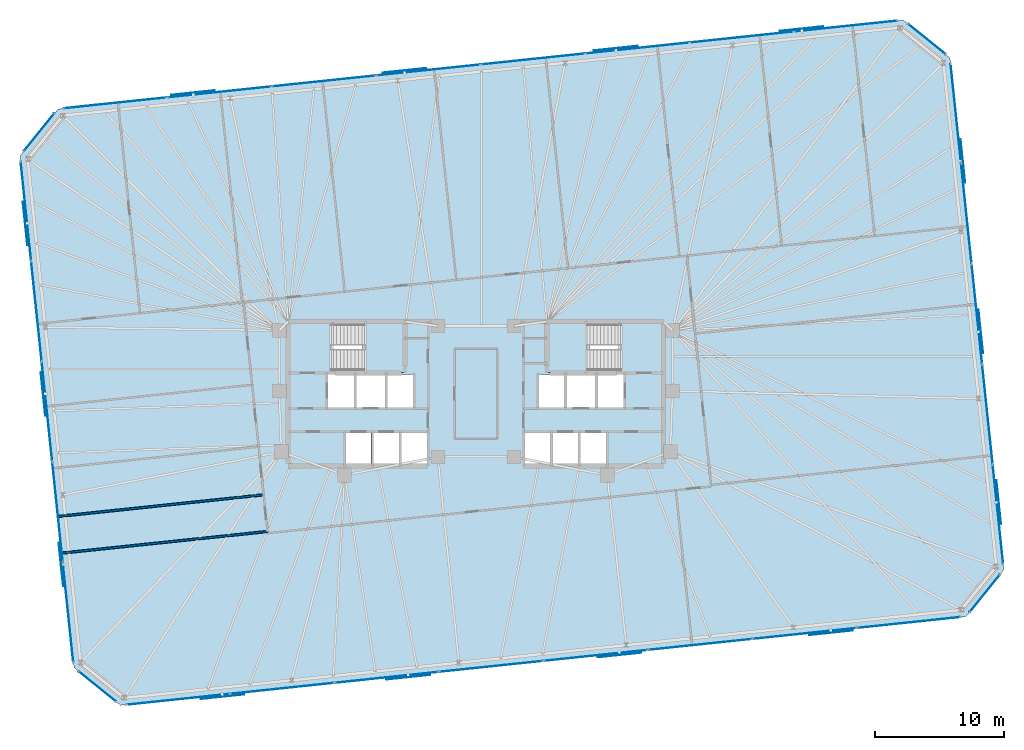
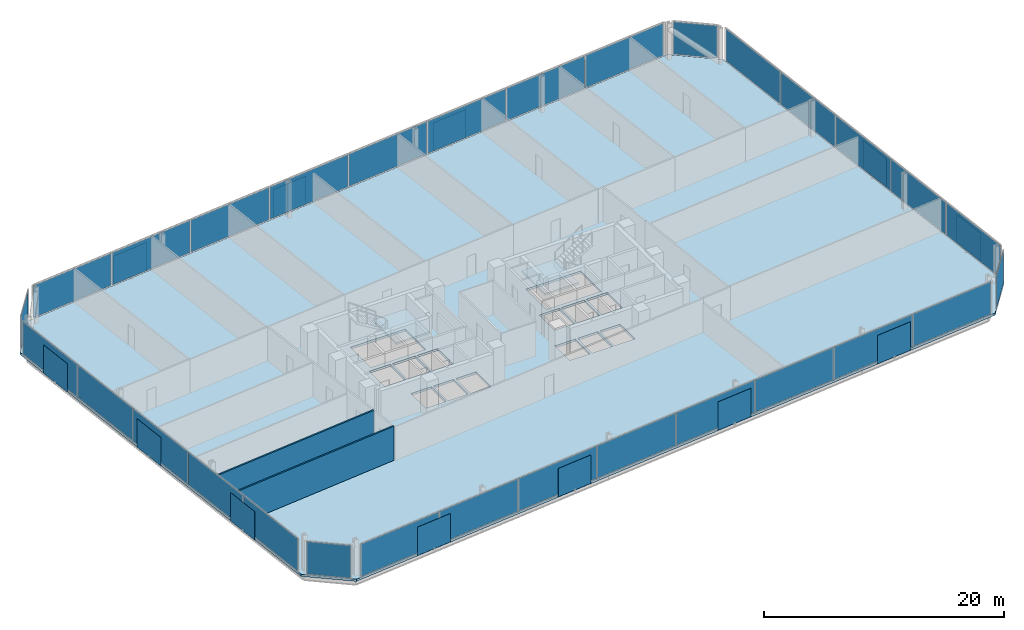
# One storey, part 13 of 18: 44 plates, 3 slabs, 2 walls, 10 elements without a shape of their own.
"""IFC4 building model written with IfcOpenShell, lengths in metres."""

import ifcopenshell
import ifcopenshell.guid

model = None  # the IFC model being written
_history = None  # IfcOwnerHistory: only IFC2X3 demands one
_inside = {}  # id of a spatial element -> (the spatial element, [elements in it])
_under = {}  # id of a project, library or spatial element -> (it, [spatial elements below it])
_declared = {}  # id of a project -> (the project, [libraries it declares])
_typed = {}  # id of a type object -> (the type object, [elements of that type])
_made_of = {}  # id of a material, layer set ... -> (it, [elements and type objects made of it])


def new_model(schema):
    """Start an empty IFC model of exactly this schema.

    Asked for "IFC4X3", IfcOpenShell would pick the latest addendum, in which some entities
    have other attributes; the version numbers below select the first issue.
    IFC2X3 requires an IfcOwnerHistory on every rooted entity: one is made here for all.
    """
    global model, _history
    if schema == "IFC4X3":
        model = ifcopenshell.file(schema_version=(4, 3, 0, 0))
    else:
        model = ifcopenshell.file(schema=schema)
    _inside.clear()
    _under.clear()
    _declared.clear()
    _typed.clear()
    _made_of.clear()
    _history = None
    if model.schema == "IFC2X3":
        org = make("IfcOrganization", Name="unknown")
        user = make(
            "IfcPersonAndOrganization",
            ThePerson=make("IfcPerson", FamilyName="unknown"),
            TheOrganization=org,
        )
        app = make(
            "IfcApplication",
            ApplicationDeveloper=org,
            Version="unknown",
            ApplicationFullName="unknown",
            ApplicationIdentifier="unknown",
        )
        _history = make(
            "IfcOwnerHistory",
            OwningUser=user,
            OwningApplication=app,
            ChangeAction="ADDED",
            CreationDate=0,
        )
    return model


def make(cls, **values):
    """One entity of the class cls with the attributes given. An attribute that is None is left unset."""
    return model.create_entity(
        cls, **{name: value for name, value in values.items() if value is not None}
    )


def rooted(cls, **values):
    """An entity with a GlobalId (a new one), such as an element, a storey or a relation."""
    return make(cls, GlobalId=ifcopenshell.guid.new(), OwnerHistory=_history, **values)


def si_unit(unit_type, name, prefix=None):
    """IfcSIUnit, for example si_unit("LENGTHUNIT", "METRE", prefix="MILLI")."""
    return make("IfcSIUnit", UnitType=unit_type, Prefix=prefix, Name=name)


def assignment(units):
    """IfcUnitAssignment: the units of a project."""
    return None if units is None else make("IfcUnitAssignment", Units=units)


def point(xyz):
    """IfcCartesianPoint."""
    return None if xyz is None else make("IfcCartesianPoint", Coordinates=xyz)


def direction(xyz):
    """IfcDirection."""
    return None if xyz is None else make("IfcDirection", DirectionRatios=xyz)


def frame(location, z_axis=None, x_axis=None):
    """IfcAxis2Placement3D, a coordinate frame: its origin and axes. An axis left out is left unset."""
    return make(
        "IfcAxis2Placement3D",
        Location=point(location),
        Axis=direction(z_axis),
        RefDirection=direction(x_axis),
    )


def frame_2d(location, x_axis=None):
    """IfcAxis2Placement2D, a coordinate frame in the plane: its origin and x axis."""
    return make(
        "IfcAxis2Placement2D", Location=point(location), RefDirection=direction(x_axis)
    )


def origin():
    """The frame at (0, 0, 0) with its axes left unset."""
    return frame((0.0, 0.0, 0.0))


def origin_2d():
    """The frame at (0, 0) in the plane with its x axis left unset."""
    return frame_2d((0.0, 0.0))


def place(relative_to, where):
    """IfcLocalPlacement: puts the frame where relative to a parent placement (None: the world)."""
    return make(
        "IfcLocalPlacement", PlacementRelTo=relative_to, RelativePlacement=where
    )


def context(
    kind, dimensions, precision=None, world=None, true_north=None, identifier=None
):
    """IfcGeometricRepresentationContext, for example the 3D "Model" context."""
    return make(
        "IfcGeometricRepresentationContext",
        ContextIdentifier=identifier,
        ContextType=kind,
        CoordinateSpaceDimension=dimensions,
        Precision=precision,
        WorldCoordinateSystem=world,
        TrueNorth=true_north,
    )


def subcontext(parent, identifier, kind, view, scale=None):
    """IfcGeometricRepresentationSubContext, for example "Body" below "Model"."""
    return make(
        "IfcGeometricRepresentationSubContext",
        ContextIdentifier=identifier,
        ContextType=kind,
        ParentContext=parent,
        TargetScale=scale,
        TargetView=view,
    )


def project(units=None, contexts=None):
    """IfcProject with its units and contexts."""
    return rooted(
        "IfcProject",
        Name="project",
        RepresentationContexts=contexts,
        UnitsInContext=assignment(units),
    )


def spatial(cls, under=None, at=None, **own):
    """A site, building, storey or space (cls), placed at a placement, below another one or the project."""
    s = rooted(cls, ObjectPlacement=at, **own)
    if under is not None:
        _under.setdefault(under.id(), (under, []))[1].append(s)
    return s


def polyline(points):
    """IfcPolyline through the points."""
    return make("IfcPolyline", Points=[point(p) for p in points])


def profile(cls, at=None, kind="AREA", **sizes):
    """A parametric profile (cls). Its sizes go by their IFC names, for example OverallWidth=200.0."""
    return make(cls, ProfileType=kind, Position=at, **sizes)


def rectangle(**sizes):
    """IfcRectangleProfileDef."""
    return profile("IfcRectangleProfileDef", **sizes)


def outline(outer, holes=None, kind="AREA"):
    """IfcArbitraryClosedProfileDef: a profile drawn as a closed curve; with holes, ...WithVoids."""
    if holes is None:
        return make("IfcArbitraryClosedProfileDef", ProfileType=kind, OuterCurve=outer)
    return make(
        "IfcArbitraryProfileDefWithVoids",
        ProfileType=kind,
        OuterCurve=outer,
        InnerCurves=holes,
    )


def extrude(swept, where, along, depth):
    """IfcExtrudedAreaSolid: the profile swept, set in the frame where, extruded along a direction by depth."""
    return make(
        "IfcExtrudedAreaSolid",
        SweptArea=swept,
        Position=where,
        ExtrudedDirection=direction(along),
        Depth=depth,
    )


def shape(context_of_items, identifier, shape_type, items):
    """IfcShapeRepresentation: the items that make up one representation, for example the "Body"."""
    return make(
        "IfcShapeRepresentation",
        ContextOfItems=context_of_items,
        RepresentationIdentifier=identifier,
        RepresentationType=shape_type,
        Items=items,
    )


def material(Name=None, Category=None):
    """IfcMaterial."""
    return make("IfcMaterial", Name=Name, Category=Category)


def layer(
    of_material, thickness, ventilated=None, Name=None, Category=None, Priority=None
):
    """IfcMaterialLayer: one layer of a wall or slab, of a material (None: an air gap)."""
    return make(
        "IfcMaterialLayer",
        Material=of_material,
        LayerThickness=thickness,
        IsVentilated=ventilated,
        Name=Name,
        Category=Category,
        Priority=Priority,
    )


def layer_set(layers, Name=None):
    """IfcMaterialLayerSet."""
    return make("IfcMaterialLayerSet", MaterialLayers=layers, LayerSetName=Name)


def made_of(thing, what):
    """Note that an element or type object is made of a material, layer set ...; save() writes the relation."""
    if what is not None:
        _made_of.setdefault(what.id(), (what, []))[1].append(thing)
    return thing


def type_object(cls, material=None, **own):
    """A type object (cls), such as IfcWallType, which elements share."""
    return made_of(rooted(cls, **own), material)


def element(
    cls,
    number,
    at=None,
    inside=None,
    cuts=None,
    type_object=None,
    material=None,
    context=None,
    identifier="Body",
    shape_type=None,
    held_by="IfcProductDefinitionShape",
    body=None,
    shapes=None,
    **own,
):
    """One element of the class cls, such as IfcWall. Its Tag is "e" and its number.

    at: its placement. inside: the storey or other place that contains it. cuts: it is an
    opening in that element (IfcRelVoidsElement). A single representation is given by context,
    identifier, shape_type and body (its items); several are given by shapes. held_by: the class
    of the entity that holds the representations. save() writes the other relations.
    """
    e = rooted(cls, Tag="e%d" % number, ObjectPlacement=at, **own)
    if body is not None:
        shapes = [shape(context, identifier, shape_type, body)]
    if shapes is not None:
        e.Representation = make(held_by, Representations=shapes)
    if inside is not None:
        _inside.setdefault(inside.id(), (inside, []))[1].append(e)
    if cuts is not None:
        rooted(
            "IfcRelVoidsElement", RelatingBuildingElement=cuts, RelatedOpeningElement=e
        )
    if type_object is not None:
        _typed.setdefault(type_object.id(), (type_object, []))[1].append(e)
    return made_of(e, material)


def aggregate(whole, parts):
    """IfcRelAggregates: a whole, such as a stair, and the parts it consists of."""
    return rooted("IfcRelAggregates", RelatingObject=whole, RelatedObjects=parts)


def save(model, path):
    """Write the relations noted so far, then the file.

    IfcRelAggregates (storeys below a building ...), IfcRelContainedInSpatialStructure (elements
    in a storey), IfcRelDefinesByType, IfcRelAssociatesMaterial and IfcRelDeclares: one each for
    every whole, place, type object, material and project.
    """
    for whole, parts in _under.values():
        aggregate(whole, parts)
    for where, things in _inside.values():
        rooted(
            "IfcRelContainedInSpatialStructure",
            RelatedElements=things,
            RelatingStructure=where,
        )
    for kind, things in _typed.values():
        rooted("IfcRelDefinesByType", RelatedObjects=things, RelatingType=kind)
    for what, things in _made_of.values():
        rooted("IfcRelAssociatesMaterial", RelatedObjects=things, RelatingMaterial=what)
    for by, libraries in _declared.values():
        rooted("IfcRelDeclares", RelatingContext=by, RelatedDefinitions=libraries)
    model.write(path)


model = new_model("IFC4")

# Units and contexts
model_context = context("Model", 3, precision=1e-05, world=origin(), true_north=direction((0.0, 1.0)))
body_context = subcontext(model_context, "Body", "Model", "MODEL_VIEW")
ifc_project = project(units=[si_unit("LENGTHUNIT", "METRE"), si_unit("AREAUNIT", "SQUARE_METRE"), si_unit("VOLUMEUNIT", "CUBIC_METRE"), si_unit("PLANEANGLEUNIT", "RADIAN"), si_unit("MASSUNIT", "GRAM", prefix="KILO")], contexts=[model_context])

# Site, building, storey
site_placement = place(None, origin())
site = spatial("IfcSite", under=ifc_project, at=site_placement, CompositionType="ELEMENT")
building_placement = place(site_placement, origin())
building = spatial("IfcBuilding", under=site, at=building_placement, Name="Menara Jurai Vektor", CompositionType="ELEMENT")
storey_placement = place(building_placement, frame((0.0, 0.0, 105.89990234375)))
storey = spatial("IfcBuildingStorey", under=building, at=storey_placement, Name="L26", CompositionType="ELEMENT", Elevation=105.89990234375)

# Curtain wall, plates
ifc_material_1 = material(Name="Anodised Pale Aluminium & Low-E Double Glazing", Category="aluminium")
curtain_wall_type = type_object("IfcCurtainWallType", Name="CW-BLK2", PredefinedType="NOTDEFINED", material=ifc_material_1)
curtain_wall_1_placement = place(storey_placement, origin())
curtain_wall_1 = element("IfcCurtainWall", 1, at=curtain_wall_1_placement, inside=storey, type_object=curtain_wall_type, Name="Unitised Curtain Wall L26 F01", PredefinedType="NOTDEFINED")
ifc_material_2 = material(Name="Low-E Solar-Control Double Glazed Unit", Category="glass")
ifc_layer_1 = layer(ifc_material_2, 0.033935546875)
ifc_layer_set_1 = layer_set([ifc_layer_1], Name="Low-E Solar-Control Double Glazed Unit")
plate_type_1 = type_object("IfcPlateType", Name="CW-BLK2-PNL", PredefinedType="CURTAIN_PANEL", material=ifc_layer_set_1)
plate_1_placement = place(storey_placement, frame((-23.090087890625, -23.69921875, 0.090087890625), z_axis=(0.0, 0.0, 1.0), x_axis=(0.994521877325, 0.104528634935, 0.0)))
plate_1 = element("IfcPlate", 2, at=plate_1_placement, type_object=plate_type_1, Name="CW-02 panel 1.1", PredefinedType="CURTAIN_PANEL", context=body_context, shape_type="SweptSolid", body=[
    extrude(rectangle(XDim=8.007568359375, YDim=0.033935546875, at=origin_2d()), origin(), (0.0, 0.0, 1.0), 3.294921875),
])
plate_2_placement = place(storey_placement, frame((-15.014404296875, -22.850341796875, 0.090087890625), z_axis=(0.0, 0.0, 1.0), x_axis=(0.994521877325, 0.104528634935, 0.0)))
plate_2 = element("IfcPlate", 3, at=plate_2_placement, type_object=plate_type_1, Name="CW-02 panel 2.1", PredefinedType="CURTAIN_PANEL", context=body_context, shape_type="SweptSolid", body=[
    extrude(rectangle(XDim=8.052490234375, YDim=0.033935546875, at=origin_2d()), origin(), (0.0, 0.0, 1.0), 3.294921875),
])
plate_3_placement = place(storey_placement, frame((-6.91650390625, -21.999267578125, 0.090087890625), z_axis=(0.0, 0.0, 1.0), x_axis=(0.994521877325, 0.104528634935, 0.0)))
plate_3 = element("IfcPlate", 4, at=plate_3_placement, type_object=plate_type_1, Name="CW-02 panel 3.1", PredefinedType="CURTAIN_PANEL", context=body_context, shape_type="SweptSolid", body=[
    extrude(rectangle(XDim=8.052490234375, YDim=0.033935546875, at=origin_2d()), origin(), (0.0, 0.0, 1.0), 3.294921875),
])
plate_4_placement = place(storey_placement, frame((1.181396484375, -21.148193359375, 0.090087890625), z_axis=(0.0, 0.0, 1.0), x_axis=(0.994521877325, 0.104528634935, 0.0)))
plate_4 = element("IfcPlate", 5, at=plate_4_placement, type_object=plate_type_1, Name="CW-02 panel 4.1", PredefinedType="CURTAIN_PANEL", context=body_context, shape_type="SweptSolid", body=[
    extrude(rectangle(XDim=8.052490234375, YDim=0.033935546875, at=origin_2d()), origin(), (0.0, 0.0, 1.0), 3.294921875),
])
plate_5_placement = place(storey_placement, frame((9.279296875, -20.297119140625, 0.090087890625), z_axis=(0.0, 0.0, 1.0), x_axis=(0.994521877325, 0.104528634935, 0.0)))
plate_5 = element("IfcPlate", 6, at=plate_5_placement, type_object=plate_type_1, Name="CW-02 panel 5.1", PredefinedType="CURTAIN_PANEL", context=body_context, shape_type="SweptSolid", body=[
    extrude(rectangle(XDim=8.052490234375, YDim=0.033935546875, at=origin_2d()), origin(), (0.0, 0.0, 1.0), 3.294921875),
])
plate_6_placement = place(storey_placement, frame((17.377197265625, -19.44580078125, 0.090087890625), z_axis=(0.0, 0.0, 1.0), x_axis=(0.994521877325, 0.104528634935, 0.0)))
plate_6 = element("IfcPlate", 7, at=plate_6_placement, type_object=plate_type_1, Name="CW-02 panel 6.1", PredefinedType="CURTAIN_PANEL", context=body_context, shape_type="SweptSolid", body=[
    extrude(rectangle(XDim=8.052490234375, YDim=0.033935546875, at=origin_2d()), origin(), (0.0, 0.0, 1.0), 3.294921875),
])
plate_7_placement = place(storey_placement, frame((25.47509765625, -18.5947265625, 0.090087890625), z_axis=(0.0, 0.0, 1.0), x_axis=(0.994521877325, 0.104528634935, 0.0)))
plate_7 = element("IfcPlate", 8, at=plate_7_placement, type_object=plate_type_1, Name="CW-02 panel 7.1", PredefinedType="CURTAIN_PANEL", context=body_context, shape_type="SweptSolid", body=[
    extrude(rectangle(XDim=8.052490234375, YDim=0.033935546875, at=origin_2d()), origin(), (0.0, 0.0, 1.0), 3.294921875),
])
plate_8_placement = place(storey_placement, frame((33.550537109375, -17.74609375, 0.090087890625), z_axis=(0.0, 0.0, 1.0), x_axis=(0.994521877325, 0.104528634935, 0.0)))
plate_8 = element("IfcPlate", 9, at=plate_8_placement, type_object=plate_type_1, Name="CW-02 panel 8.1", PredefinedType="CURTAIN_PANEL", context=body_context, shape_type="SweptSolid", body=[
    extrude(rectangle(XDim=8.007568359375, YDim=0.033935546875, at=origin_2d()), origin(), (0.0, 0.0, 1.0), 3.294921875),
])
aggregate(curtain_wall_1, [plate_1, plate_2, plate_3, plate_4, plate_5, plate_6, plate_7, plate_8])

curtain_wall_2_placement = place(storey_placement, origin())
curtain_wall_2 = element("IfcCurtainWall", 10, at=curtain_wall_2_placement, inside=storey, type_object=curtain_wall_type, Name="Unitised Curtain Wall L26 F03", PredefinedType="NOTDEFINED")
plate_9_placement = place(storey_placement, frame((40.485595703125, -9.358642578125, 0.090087890625), z_axis=(0.0, 0.0, 1.0), x_axis=(-0.104529576902, 0.99452177832, 0.0)))
plate_9 = element("IfcPlate", 11, at=plate_9_placement, type_object=plate_type_1, Name="CW-02 panel 1.1", PredefinedType="CURTAIN_PANEL", context=body_context, shape_type="SweptSolid", body=[
    extrude(rectangle(XDim=7.693115234375, YDim=0.033935546875, at=origin_2d()), origin(), (0.0, 0.0, 1.0), 3.294921875),
])
plate_10_placement = place(storey_placement, frame((39.669677734375, -1.595947265625, 0.090087890625), z_axis=(0.0, 0.0, 1.0), x_axis=(-0.104529576902, 0.99452177832, 0.0)))
plate_10 = element("IfcPlate", 12, at=plate_10_placement, type_object=plate_type_1, Name="CW-02 panel 2.1", PredefinedType="CURTAIN_PANEL", context=body_context, shape_type="SweptSolid", body=[
    extrude(rectangle(XDim=7.738037109375, YDim=0.033935546875, at=origin_2d()), origin(), (0.0, 0.0, 1.0), 3.294921875),
])
plate_11_placement = place(storey_placement, frame((38.8515625, 6.189208984375, 0.090087890625), z_axis=(0.0, 0.0, 1.0), x_axis=(-0.104529576902, 0.99452177832, 0.0)))
plate_11 = element("IfcPlate", 13, at=plate_11_placement, type_object=plate_type_1, Name="CW-02 panel 3.1", PredefinedType="CURTAIN_PANEL", context=body_context, shape_type="SweptSolid", body=[
    extrude(rectangle(XDim=7.738037109375, YDim=0.033935546875, at=origin_2d()), origin(), (0.0, 0.0, 1.0), 3.294921875),
])
plate_12_placement = place(storey_placement, frame((38.033203125, 13.974365234375, 0.090087890625), z_axis=(0.0, 0.0, 1.0), x_axis=(-0.104529576902, 0.99452177832, 0.0)))
plate_12 = element("IfcPlate", 14, at=plate_12_placement, type_object=plate_type_1, Name="CW-02 panel 4.1", PredefinedType="CURTAIN_PANEL", context=body_context, shape_type="SweptSolid", body=[
    extrude(rectangle(XDim=7.738037109375, YDim=0.033935546875, at=origin_2d()), origin(), (0.0, 0.0, 1.0), 3.294921875),
])
plate_13_placement = place(storey_placement, frame((37.21728515625, 21.737060546875, 0.090087890625), z_axis=(0.0, 0.0, 1.0), x_axis=(-0.104529576902, 0.99452177832, 0.0)))
plate_13 = element("IfcPlate", 15, at=plate_13_placement, type_object=plate_type_1, Name="CW-02 panel 5.1", PredefinedType="CURTAIN_PANEL", context=body_context, shape_type="SweptSolid", body=[
    extrude(rectangle(XDim=7.693115234375, YDim=0.033935546875, at=origin_2d()), origin(), (0.0, 0.0, 1.0), 3.294921875),
])
aggregate(curtain_wall_2, [plate_9, plate_10, plate_11, plate_12, plate_13])

curtain_wall_3_placement = place(storey_placement, origin())
curtain_wall_3 = element("IfcCurtainWall", 16, at=curtain_wall_3_placement, inside=storey, type_object=curtain_wall_type, Name="Unitised Curtain Wall L26 F05", PredefinedType="NOTDEFINED")
plate_14_placement = place(storey_placement, frame((28.68994140625, 28.499267578125, 0.090087890625), z_axis=(0.0, 0.0, 1.0), x_axis=(-0.994521877325, -0.104528634935, 0.0)))
plate_14 = element("IfcPlate", 17, at=plate_14_placement, type_object=plate_type_1, Name="CW-02 panel 1.1", PredefinedType="CURTAIN_PANEL", context=body_context, shape_type="SweptSolid", body=[
    extrude(rectangle(XDim=8.007568359375, YDim=0.033935546875, at=origin_2d()), origin(), (0.0, 0.0, 1.0), 3.294921875),
])
plate_15_placement = place(storey_placement, frame((20.614501953125, 27.650390625, 0.090087890625), z_axis=(0.0, 0.0, 1.0), x_axis=(-0.994521877325, -0.104528634935, 0.0)))
plate_15 = element("IfcPlate", 18, at=plate_15_placement, type_object=plate_type_1, Name="CW-02 panel 2.1", PredefinedType="CURTAIN_PANEL", context=body_context, shape_type="SweptSolid", body=[
    extrude(rectangle(XDim=8.052490234375, YDim=0.033935546875, at=origin_2d()), origin(), (0.0, 0.0, 1.0), 3.294921875),
])
plate_16_placement = place(storey_placement, frame((12.5166015625, 26.79931640625, 0.090087890625), z_axis=(0.0, 0.0, 1.0), x_axis=(-0.994521877325, -0.104528634935, 0.0)))
plate_16 = element("IfcPlate", 19, at=plate_16_placement, type_object=plate_type_1, Name="CW-02 panel 3.1", PredefinedType="CURTAIN_PANEL", context=body_context, shape_type="SweptSolid", body=[
    extrude(rectangle(XDim=8.052490234375, YDim=0.033935546875, at=origin_2d()), origin(), (0.0, 0.0, 1.0), 3.294921875),
])
plate_17_placement = place(storey_placement, frame((4.418701171875, 25.9482421875, 0.090087890625), z_axis=(0.0, 0.0, 1.0), x_axis=(-0.994521877325, -0.104528634935, 0.0)))
plate_17 = element("IfcPlate", 20, at=plate_17_placement, type_object=plate_type_1, Name="CW-02 panel 4.1", PredefinedType="CURTAIN_PANEL", context=body_context, shape_type="SweptSolid", body=[
    extrude(rectangle(XDim=8.052490234375, YDim=0.033935546875, at=origin_2d()), origin(), (0.0, 0.0, 1.0), 3.294921875),
])
plate_18_placement = place(storey_placement, frame((-3.67919921875, 25.096923828125, 0.090087890625), z_axis=(0.0, 0.0, 1.0), x_axis=(-0.994521877325, -0.104528634935, 0.0)))
plate_18 = element("IfcPlate", 21, at=plate_18_placement, type_object=plate_type_1, Name="CW-02 panel 5.1", PredefinedType="CURTAIN_PANEL", context=body_context, shape_type="SweptSolid", body=[
    extrude(rectangle(XDim=8.052490234375, YDim=0.033935546875, at=origin_2d()), origin(), (0.0, 0.0, 1.0), 3.294921875),
])
plate_19_placement = place(storey_placement, frame((-11.777099609375, 24.245849609375, 0.090087890625), z_axis=(0.0, 0.0, 1.0), x_axis=(-0.994521877325, -0.104528634935, 0.0)))
plate_19 = element("IfcPlate", 22, at=plate_19_placement, type_object=plate_type_1, Name="CW-02 panel 6.1", PredefinedType="CURTAIN_PANEL", context=body_context, shape_type="SweptSolid", body=[
    extrude(rectangle(XDim=8.052490234375, YDim=0.033935546875, at=origin_2d()), origin(), (0.0, 0.0, 1.0), 3.294921875),
])
plate_20_placement = place(storey_placement, frame((-19.875, 23.394775390625, 0.090087890625), z_axis=(0.0, 0.0, 1.0), x_axis=(-0.994521877325, -0.104528634935, 0.0)))
plate_20 = element("IfcPlate", 23, at=plate_20_placement, type_object=plate_type_1, Name="CW-02 panel 7.1", PredefinedType="CURTAIN_PANEL", context=body_context, shape_type="SweptSolid", body=[
    extrude(rectangle(XDim=8.052490234375, YDim=0.033935546875, at=origin_2d()), origin(), (0.0, 0.0, 1.0), 3.294921875),
])
plate_21_placement = place(storey_placement, frame((-27.95068359375, 22.5458984375, 0.090087890625), z_axis=(0.0, 0.0, 1.0), x_axis=(-0.994521877325, -0.104528634935, 0.0)))
plate_21 = element("IfcPlate", 24, at=plate_21_placement, type_object=plate_type_1, Name="CW-02 panel 8.1", PredefinedType="CURTAIN_PANEL", context=body_context, shape_type="SweptSolid", body=[
    extrude(rectangle(XDim=8.007568359375, YDim=0.033935546875, at=origin_2d()), origin(), (0.0, 0.0, 1.0), 3.294921875),
])
aggregate(curtain_wall_3, [plate_14, plate_15, plate_16, plate_17, plate_18, plate_19, plate_20, plate_21])

curtain_wall_4_placement = place(storey_placement, origin())
curtain_wall_4 = element("IfcCurtainWall", 25, at=curtain_wall_4_placement, inside=storey, type_object=curtain_wall_type, Name="Unitised Curtain Wall L26 F07", PredefinedType="NOTDEFINED")
plate_22_placement = place(storey_placement, frame((-34.885498046875, 14.15869140625, 0.090087890625), z_axis=(0.0, 0.0, 1.0), x_axis=(0.104529576902, -0.99452177832, 0.0)))
plate_22 = element("IfcPlate", 26, at=plate_22_placement, type_object=plate_type_1, Name="CW-02 panel 1.1", PredefinedType="CURTAIN_PANEL", context=body_context, shape_type="SweptSolid", body=[
    extrude(rectangle(XDim=7.693115234375, YDim=0.033935546875, at=origin_2d()), origin(), (0.0, 0.0, 1.0), 3.294921875),
])
plate_23_placement = place(storey_placement, frame((-34.06982421875, 6.39599609375, 0.090087890625), z_axis=(0.0, 0.0, 1.0), x_axis=(0.104529576902, -0.99452177832, 0.0)))
plate_23 = element("IfcPlate", 27, at=plate_23_placement, type_object=plate_type_1, Name="CW-02 panel 2.1", PredefinedType="CURTAIN_PANEL", context=body_context, shape_type="SweptSolid", body=[
    extrude(rectangle(XDim=7.738037109375, YDim=0.033935546875, at=origin_2d()), origin(), (0.0, 0.0, 1.0), 3.294921875),
])
plate_24_placement = place(storey_placement, frame((-33.25146484375, -1.38916015625, 0.090087890625), z_axis=(0.0, 0.0, 1.0), x_axis=(0.104529576902, -0.99452177832, 0.0)))
plate_24 = element("IfcPlate", 28, at=plate_24_placement, type_object=plate_type_1, Name="CW-02 panel 3.1", PredefinedType="CURTAIN_PANEL", context=body_context, shape_type="SweptSolid", body=[
    extrude(rectangle(XDim=7.738037109375, YDim=0.033935546875, at=origin_2d()), origin(), (0.0, 0.0, 1.0), 3.294921875),
])
plate_25_placement = place(storey_placement, frame((-32.43310546875, -9.17431640625, 0.090087890625), z_axis=(0.0, 0.0, 1.0), x_axis=(0.104529576902, -0.99452177832, 0.0)))
plate_25 = element("IfcPlate", 29, at=plate_25_placement, type_object=plate_type_1, Name="CW-02 panel 4.1", PredefinedType="CURTAIN_PANEL", context=body_context, shape_type="SweptSolid", body=[
    extrude(rectangle(XDim=7.738037109375, YDim=0.033935546875, at=origin_2d()), origin(), (0.0, 0.0, 1.0), 3.294921875),
])
plate_26_placement = place(storey_placement, frame((-31.6171875, -16.93701171875, 0.090087890625), z_axis=(0.0, 0.0, 1.0), x_axis=(0.104529576902, -0.99452177832, 0.0)))
plate_26 = element("IfcPlate", 30, at=plate_26_placement, type_object=plate_type_1, Name="CW-02 panel 5.1", PredefinedType="CURTAIN_PANEL", context=body_context, shape_type="SweptSolid", body=[
    extrude(rectangle(XDim=7.693115234375, YDim=0.033935546875, at=origin_2d()), origin(), (0.0, 0.0, 1.0), 3.294921875),
])
aggregate(curtain_wall_4, [plate_22, plate_23, plate_24, plate_25, plate_26])

# Curtain wall, plate
curtain_wall_5_placement = place(storey_placement, origin())
curtain_wall_5 = element("IfcCurtainWall", 31, at=curtain_wall_5_placement, inside=storey, type_object=curtain_wall_type, Name="Unitised Curtain Wall L26 F02", PredefinedType="NOTDEFINED")
ifc_material_3 = material(Name="Insulated Pale Aluminium Spandrel Panel", Category="aluminium")
ifc_layer_2 = layer(ifc_material_3, 0.06005859375)
ifc_layer_set_2 = layer_set([ifc_layer_2], Name="Insulated Pale Aluminium Spandrel Panel")
plate_type_2 = type_object("IfcPlateType", Name="CW-PNL-SP", PredefinedType="CURTAIN_PANEL", material=ifc_layer_set_2)
plate_27_placement = place(storey_placement, frame((39.46826171875, -15.465087890625, 0.090087890625), z_axis=(0.0, 0.0, 1.0), x_axis=(0.62934106172, 0.777129222223, 0.0)))
plate_27 = element("IfcPlate", 32, at=plate_27_placement, type_object=plate_type_2, Name="CW-02 panel 1.1", PredefinedType="CURTAIN_PANEL", context=body_context, shape_type="SweptSolid", body=[
    extrude(rectangle(XDim=3.72705078125, YDim=0.06005859375, at=origin_2d()), origin(), (0.0, 0.0, 1.0), 3.294921875),
])
aggregate(curtain_wall_5, [plate_27])

curtain_wall_6_placement = place(storey_placement, origin())
curtain_wall_6 = element("IfcCurtainWall", 33, at=curtain_wall_6_placement, inside=storey, type_object=curtain_wall_type, Name="Unitised Curtain Wall L26 F04", PredefinedType="NOTDEFINED")
plate_28_placement = place(storey_placement, frame((34.95263671875, 27.498291015625, 0.090087890625), z_axis=(0.0, 0.0, 1.0), x_axis=(-0.777151877437, 0.629313085353, 0.0)))
plate_28 = element("IfcPlate", 34, at=plate_28_placement, type_object=plate_type_2, Name="CW-02 panel 1.1", PredefinedType="CURTAIN_PANEL", context=body_context, shape_type="SweptSolid", body=[
    extrude(rectangle(XDim=3.72705078125, YDim=0.06005859375, at=origin_2d()), origin(), (0.0, 0.0, 1.0), 3.294921875),
])
aggregate(curtain_wall_6, [plate_28])

curtain_wall_7_placement = place(storey_placement, origin())
curtain_wall_7 = element("IfcCurtainWall", 35, at=curtain_wall_7_placement, inside=storey, type_object=curtain_wall_type, Name="Unitised Curtain Wall L26 F06", PredefinedType="NOTDEFINED")
plate_29_placement = place(storey_placement, frame((-33.868408203125, 20.264892578125, 0.090087890625), z_axis=(0.0, 0.0, 1.0), x_axis=(-0.62934106172, -0.777129222223, 0.0)))
plate_29 = element("IfcPlate", 36, at=plate_29_placement, type_object=plate_type_2, Name="CW-02 panel 1.1", PredefinedType="CURTAIN_PANEL", context=body_context, shape_type="SweptSolid", body=[
    extrude(rectangle(XDim=3.72705078125, YDim=0.06005859375, at=origin_2d()), origin(), (0.0, 0.0, 1.0), 3.294921875),
])
aggregate(curtain_wall_7, [plate_29])

curtain_wall_8_placement = place(storey_placement, origin())
curtain_wall_8 = element("IfcCurtainWall", 37, at=curtain_wall_8_placement, inside=storey, type_object=curtain_wall_type, Name="Unitised Curtain Wall L26 F08", PredefinedType="NOTDEFINED")
plate_30_placement = place(storey_placement, frame((-29.3525390625, -22.6982421875, 0.090087890625), z_axis=(0.0, 0.0, 1.0), x_axis=(0.777151877437, -0.629313085353, 0.0)))
plate_30 = element("IfcPlate", 38, at=plate_30_placement, type_object=plate_type_2, Name="CW-02 panel 1.1", PredefinedType="CURTAIN_PANEL", context=body_context, shape_type="SweptSolid", body=[
    extrude(rectangle(XDim=3.72705078125, YDim=0.06005859375, at=origin_2d()), origin(), (0.0, 0.0, 1.0), 3.294921875),
])
aggregate(curtain_wall_8, [plate_30])

# Plates
ifc_material_4 = material(Name="Anodised Pale Aluminium Perforated Screen", Category="aluminium")
ifc_layer_3 = layer(ifc_material_4, 0.02392578125)
ifc_layer_set_3 = layer_set([ifc_layer_3], Name="Anodised Pale Aluminium Perforated Screen")
plate_type_3 = type_object("IfcPlateType", Name="ENV-PLT-SCREEN", PredefinedType="USERDEFINED", material=ifc_layer_set_3)
for number, where, z_axis, x_axis, name in (
    (39, (-19.65771484375, -23.499267578125, -0.0498046875), (0.0, 0.0, 1.0), (0.994521895368, 0.104528463268, 0.0), "Perforated Pale-Metal Solar Screen L26-S01"),
    (40, (-5.2392578125, -21.98388671875, -0.0498046875), (0.0, 0.0, 1.0), (0.994521895368, 0.104528463268, 0.0), "Perforated Pale-Metal Solar Screen L26-S02"),
    (41, (11.1455078125, -20.26171875, -0.0498046875), (0.0, 0.0, 1.0), (0.994521895368, 0.104528463268, 0.0), "Perforated Pale-Metal Solar Screen L26-S03"),
    (42, (27.5302734375, -18.539794921875, -0.0498046875), (0.0, 0.0, 1.0), (0.994521895368, 0.104528463268, 0.0), "Perforated Pale-Metal Solar Screen L26-S04"),
    (43, (40.546875, -8.41015625, -0.0498046875), (0.0, 0.0, 1.0), (-0.104528463268, 0.994521895368, 0.0), "Perforated Pale-Metal Solar Screen L26-S05"),
    (44, (39.156494140625, 4.81689453125, -0.0498046875), (0.0, 0.0, 1.0), (-0.104528463268, 0.994521895368, 0.0), "Perforated Pale-Metal Solar Screen L26-S06"),
    (45, (37.766357421875, 18.044189453125, -0.0498046875), (0.0, 0.0, 1.0), (-0.104528463268, 0.994521895368, 0.0), "Perforated Pale-Metal Solar Screen L26-S07"),
    (46, (25.2578125, 28.29931640625, -0.0498046875), (0.0, 0.0, 1.0), (-0.994521895368, -0.104528463268, 0.0), "Perforated Pale-Metal Solar Screen L26-S08"),
    (47, (10.839111328125, 26.783935546875, -0.0498046875), (0.0, 0.0, 1.0), (-0.994521895368, -0.104528463268, 0.0), "Perforated Pale-Metal Solar Screen L26-S09"),
    (48, (-5.54541015625, 25.061767578125, -0.0498046875), (0.0, 0.0, 1.0), (-0.994521895368, -0.104528463268, 0.0), "Perforated Pale-Metal Solar Screen L26-S10"),
    (49, (-21.930419921875, 23.339599609375, -0.0498046875), (0.0, 0.0, 1.0), (-0.994521895368, -0.104528463268, 0.0), "Perforated Pale-Metal Solar Screen L26-S11"),
    (50, (-34.94677734375, 13.210205078125, -0.0498046875), (0.0, 0.0, 1.0), (0.104528463268, -0.994521895368, 0.0), "Perforated Pale-Metal Solar Screen L26-S12"),
    (51, (-33.556396484375, -0.01708984375, -0.0498046875), (0.0, 0.0, 1.0), (0.104528463268, -0.994521895368, 0.0), "Perforated Pale-Metal Solar Screen L26-S13"),
    (52, (-32.166259765625, -13.244140625, -0.0498046875), (0.0, 0.0, 1.0), (0.104528463268, -0.994521895368, 0.0), "Perforated Pale-Metal Solar Screen L26-S14"),
):
    element("IfcPlate", number, at=place(storey_placement, frame(where, z_axis=z_axis, x_axis=x_axis)), inside=storey, type_object=plate_type_3, Name=name, ObjectType="SCREEN", PredefinedType="USERDEFINED", context=body_context, shape_type="SweptSolid", body=[
        extrude(rectangle(XDim=3.39990234375, YDim=0.02392578125, at=origin_2d()), origin(), (0.0, 0.0, 1.0), 2.89990234375),
    ])

# Stair, slab
ifc_material_5 = material(Name="Concrete C40/50", Category="concrete")
stair_type = type_object("IfcStairType", Name="STAIR-DOGLEG-1500", PredefinedType="HALF_TURN_STAIR", material=ifc_material_5)
stair_1_placement = place(storey_placement, origin())
stair_1 = element("IfcStair", 53, at=stair_1_placement, inside=storey, type_object=stair_type, Name="Protected Exit Stair ST1 L26", PredefinedType="HALF_TURN_STAIR")
ifc_layer_4 = layer(ifc_material_5, 0.199951171875)
ifc_layer_set_4 = layer_set([ifc_layer_4], Name="Concrete C40/50")
slab_type_1 = type_object("IfcSlabType", Name="STAIR-LANDING-200", PredefinedType="LANDING", material=ifc_layer_set_4)
slab_1_placement = place(storey_placement, frame((0.0, 0.0, 1.650146484375)))
slab_1 = element("IfcSlab", 54, at=slab_1_placement, type_object=slab_type_1, Name="ST1 landing 1", PredefinedType="LANDING", context=body_context, shape_type="SweptSolid", body=[
    extrude(outline(polyline([(-8.800048828125, 1.64990234375), (-5.550048828125, 1.64990234375), (-5.550048828125, 5.550048828125), (-8.800048828125, 5.550048828125), (-8.800048828125, 1.64990234375)])), origin(), (0.0, 0.0, 1.0), 0.199951171875),
])
aggregate(stair_1, [slab_1])

stair_2_placement = place(storey_placement, origin())
stair_2 = element("IfcStair", 55, at=stair_2_placement, inside=storey, type_object=stair_type, Name="Protected Exit Stair ST2 L26", PredefinedType="HALF_TURN_STAIR")
slab_2_placement = place(storey_placement, frame((0.0, 0.0, 1.650146484375)))
slab_2 = element("IfcSlab", 56, at=slab_2_placement, type_object=slab_type_1, Name="ST2 landing 1", PredefinedType="LANDING", context=body_context, shape_type="SweptSolid", body=[
    extrude(outline(polyline([(5.550048828125, 1.64990234375), (8.800048828125, 1.64990234375), (8.800048828125, 5.550048828125), (5.550048828125, 5.550048828125), (5.550048828125, 1.64990234375)])), origin(), (0.0, 0.0, 1.0), 0.199951171875),
])
aggregate(stair_2, [slab_2])

# Slab
ifc_layer_5 = layer(ifc_material_5, 0.22509765625)
ifc_layer_set_5 = layer_set([ifc_layer_5], Name="Concrete C40/50")
slab_type_2 = type_object("IfcSlabType", Name="STR-SLAB-TYP200", PredefinedType="FLOOR", material=ifc_layer_set_5)
slab_3_placement = place(storey_placement, frame((0.0, 0.0, -0.224853515625)))
element("IfcSlab", 57, at=slab_3_placement, inside=storey, type_object=slab_type_2, Name="Composite Floor Slab L26", PredefinedType="FLOOR", context=body_context, shape_type="SweptSolid", body=[
    extrude(outline(polyline([(-27.539306640625, -24.166748046875), (37.999755859375, -17.2783203125), (40.936767578125, -13.651611328125), (36.76611328125, 26.02978515625), (33.13916015625, 28.966796875), (-32.39990234375, 22.078369140625), (-35.3369140625, 18.45166015625), (-31.166015625, -21.22998046875), (-27.539306640625, -24.166748046875)]), holes=[polyline([(-11.10009765625, 1.89990234375), (-11.10009765625, 5.300048828125), (-5.800048828125, 5.300048828125), (-5.800048828125, 1.89990234375), (-11.10009765625, 1.89990234375)]), polyline([(5.800048828125, 1.89990234375), (5.800048828125, 5.300048828125), (11.10009765625, 5.300048828125), (11.10009765625, 1.89990234375), (5.800048828125, 1.89990234375)]), polyline([(-11.449951171875, -1.050048828125), (-11.449951171875, 1.5), (-9.449951171875, 1.5), (-9.449951171875, -1.050048828125), (-11.449951171875, -1.050048828125)]), polyline([(9.449951171875, -1.050048828125), (9.449951171875, 1.5), (11.449951171875, 1.5), (11.449951171875, -1.050048828125), (9.449951171875, -1.050048828125)]), polyline([(-5.760009765625, -5.5), (-5.760009765625, -3.050048828125), (-3.800048828125, -3.050048828125), (-3.800048828125, -5.5), (-5.760009765625, -5.5)]), polyline([(-6.85009765625, -1.050048828125), (-6.85009765625, 1.5), (-4.889892578125, 1.5), (-4.889892578125, -1.050048828125), (-6.85009765625, -1.050048828125)]), polyline([(3.800048828125, -5.5), (3.800048828125, -3.050048828125), (5.760009765625, -3.050048828125), (5.760009765625, -5.5), (3.800048828125, -5.5)]), polyline([(4.889892578125, -1.050048828125), (4.889892578125, 1.5), (6.85009765625, 1.5), (6.85009765625, -1.050048828125), (4.889892578125, -1.050048828125)]), polyline([(-10.080078125, -5.5), (-10.080078125, -3.050048828125), (-8.1201171875, -3.050048828125), (-8.1201171875, -5.5), (-10.080078125, -5.5)]), polyline([(-7.919921875, -5.5), (-7.919921875, -3.050048828125), (-5.9599609375, -3.050048828125), (-5.9599609375, -5.5), (-7.919921875, -5.5)]), polyline([(5.9599609375, -5.5), (5.9599609375, -3.050048828125), (7.919921875, -3.050048828125), (7.919921875, -5.5), (5.9599609375, -5.5)]), polyline([(8.1201171875, -5.5), (8.1201171875, -3.050048828125), (10.080078125, -3.050048828125), (10.080078125, -5.5), (8.1201171875, -5.5)]), polyline([(-9.25, -1.050048828125), (-9.25, 1.5), (-7.050048828125, 1.5), (-7.050048828125, -1.050048828125), (-9.25, -1.050048828125)]), polyline([(7.050048828125, -1.050048828125), (7.050048828125, 1.5), (9.25, 1.5), (9.25, -1.050048828125), (7.050048828125, -1.050048828125)])]), origin(), (0.0, 0.0, 1.0), 0.224853515625),
])

# Walls
ifc_material_6 = material(Name="Gypsum Fireboard Partition", Category="gypsum")
ifc_layer_6 = layer(ifc_material_6, 0.14990234375)
ifc_layer_set_6 = layer_set([ifc_layer_6], Name="Gypsum Fireboard Partition")
wall_type = type_object("IfcWallType", Name="INT-WALL-CORR-150", PredefinedType="PARTITIONING", material=ifc_layer_set_6)
wall_1_placement = place(storey_placement, frame((-32.0986328125, -12.357666015625, 0.0), z_axis=(0.0, 0.0, 1.0), x_axis=(0.994522794159, 0.104519911488, 0.0)))
element("IfcWall", 58, at=wall_1_placement, inside=storey, type_object=wall_type, Name="Interior Wall IW-150 L26", PredefinedType="PARTITIONING", context=body_context, shape_type="SweptSolid", body=[
    extrude(rectangle(XDim=16.033203125, YDim=0.14990234375, at=frame_2d((8.0166015625, 0.0))), origin(), (0.0, 0.0, 1.0), 3.47509765625),
])
wall_2_placement = place(storey_placement, frame((-32.3974609375, -9.514404296875, 0.0), z_axis=(0.0, 0.0, 1.0), x_axis=(0.994521044813, 0.104536555445, 0.0)))
element("IfcWall", 59, at=wall_2_placement, inside=storey, type_object=wall_type, Name="Interior Wall IW-150 L26", PredefinedType="PARTITIONING", context=body_context, shape_type="SweptSolid", body=[
    extrude(rectangle(XDim=16.032958984375, YDim=0.14990234375, at=frame_2d((8.0166015625, 0.0))), origin(), (0.0, 0.0, 1.0), 3.47509765625),
])

save(model, "model.ifc")
